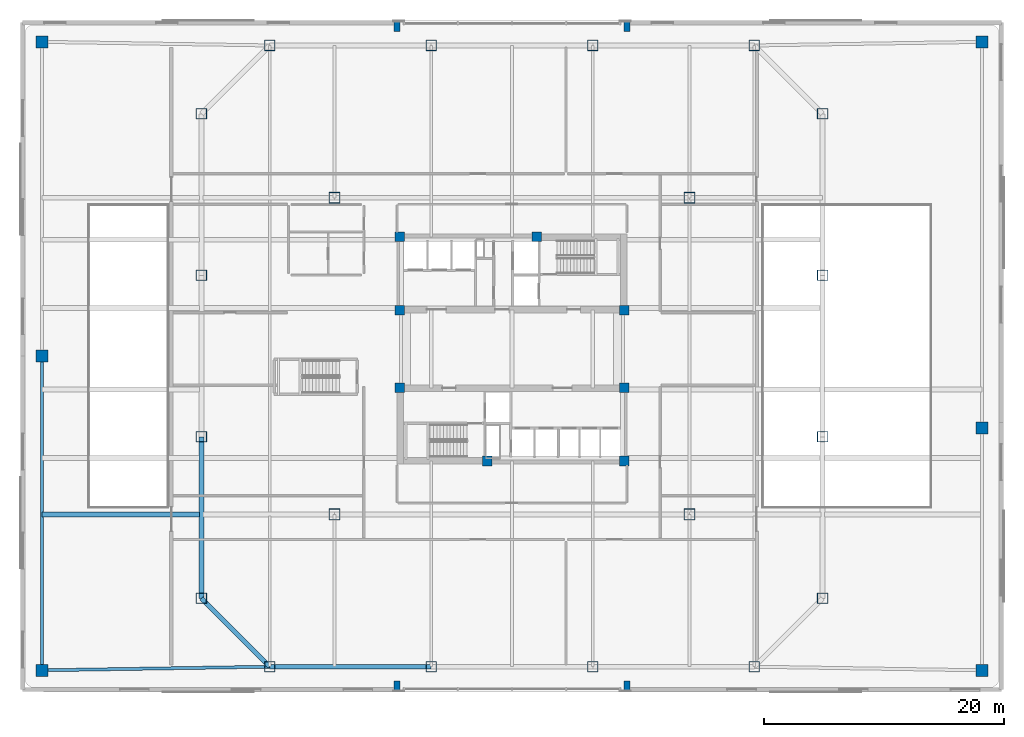
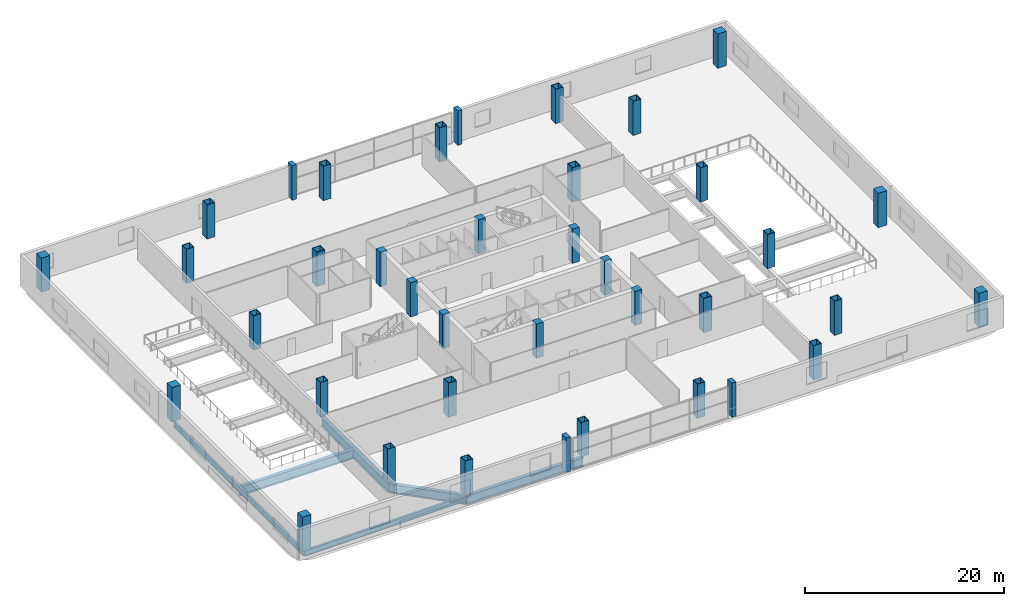
# One storey, part 1 of 21: 38 columns, 6 beams.
"""IFC4 building model written with IfcOpenShell, lengths in metres."""

from ifc_helpers import new_model, si_unit, direction, frame, origin, origin_2d, place, context, subcontext, project, spatial, rectangle, hollow_rectangle, i_section, extrude, material, material_profile, profile_set, type_object, element, save


model = new_model("IFC4")

# Units and contexts
model_context = context("Model", 3, precision=1e-05, world=origin(), true_north=direction((0.0, 1.0)))
body_context = subcontext(model_context, "Body", "Model", "MODEL_VIEW")
ifc_project = project(units=[si_unit("LENGTHUNIT", "METRE"), si_unit("AREAUNIT", "SQUARE_METRE"), si_unit("VOLUMEUNIT", "CUBIC_METRE"), si_unit("PLANEANGLEUNIT", "RADIAN"), si_unit("MASSUNIT", "GRAM", prefix="KILO")], contexts=[model_context])

# Site, building, storey
site_placement = place(None, origin())
site = spatial("IfcSite", under=ifc_project, at=site_placement, CompositionType="ELEMENT")
building_placement = place(site_placement, origin())
building = spatial("IfcBuilding", under=site, at=building_placement, Name="Qhalaya Broadcast Tower", CompositionType="ELEMENT")
storey_placement = place(building_placement, frame((0.0, 0.0, 17.699951171875)))
storey = spatial("IfcBuildingStorey", under=building, at=storey_placement, Name="L04", CompositionType="ELEMENT", Elevation=17.699951171875)

# Columns
ifc_material_1 = material(Name="Concrete C60/75", Category="concrete")
ifc_material_profile_1 = material_profile(ifc_material_1, rectangle(XDim=0.5, YDim=0.85009765625, at=origin_2d()), Name="RC-PIL 500x850")
ifc_profile_set_1 = profile_set([ifc_material_profile_1], Name="Concrete C60/75")
column_type_1 = type_object("IfcColumnType", Name="Concourse Portal Pilaster CP1", PredefinedType="PILASTER", material=ifc_profile_set_1)
for number, where, z_axis, x_axis, name in (
    (1, (-9.60009765625, -27.5, 0.0), (0.0, 0.0, 1.0), (1.0, 0.0, 0.0), "L04 Column PIL-PL1"),
    (2, (9.60009765625, -27.5, 0.0), (0.0, 0.0, 1.0), (1.0, 0.0, 0.0), "L04 Column PIL-PL2"),
    (3, (-9.60009765625, 27.5, 0.0), (0.0, 0.0, 1.0), (1.0, 0.0, 0.0), "L04 Column PIL-PL3"),
    (4, (9.60009765625, 27.5, 0.0), (0.0, 0.0, 1.0), (1.0, 0.0, 0.0), "L04 Column PIL-PL4"),
):
    element("IfcColumn", number, at=place(storey_placement, frame(where, z_axis=z_axis, x_axis=x_axis)), inside=storey, type_object=column_type_1, Name=name, PredefinedType="PILASTER", context=body_context, shape_type="SweptSolid", body=[
        extrude(rectangle(XDim=0.5, YDim=0.85009765625, at=origin_2d()), origin(), (0.0, 0.0, 1.0), 4.199951171875),
    ])
ifc_material_profile_2 = material_profile(ifc_material_1, rectangle(XDim=1.0, YDim=1.0, at=origin_2d()), Name="RC-COL 1000x1000")
ifc_profile_set_2 = profile_set([ifc_material_profile_2], Name="Concrete C60/75")
column_type_2 = type_object("IfcColumnType", Name="RC Podium Column C09", PredefinedType="COLUMN", material=ifc_profile_set_2)
for number, where, z_axis, x_axis, name in (
    (5, (-39.199951171875, 0.0, 0.0), (0.0, 0.0, 1.0), (1.0, 0.0, 0.0), "L04 Column COL-E1"),
    (6, (39.199951171875, -6.0, 0.0), (0.0, 0.0, 1.0), (1.0, 0.0, 0.0), "L04 Column COL-E2"),
    (7, (-39.199951171875, -26.199951171875, 0.0), (0.0, 0.0, 1.0), (1.0, 0.0, 0.0), "L04 Column COL-E3"),
    (8, (39.199951171875, -26.199951171875, 0.0), (0.0, 0.0, 1.0), (1.0, 0.0, 0.0), "L04 Column COL-E4"),
    (9, (-39.199951171875, 26.199951171875, 0.0), (0.0, 0.0, 1.0), (1.0, 0.0, 0.0), "L04 Column COL-E5"),
    (10, (39.199951171875, 26.199951171875, 0.0), (0.0, 0.0, 1.0), (1.0, 0.0, 0.0), "L04 Column COL-E6"),
):
    element("IfcColumn", number, at=place(storey_placement, frame(where, z_axis=z_axis, x_axis=x_axis)), inside=storey, type_object=column_type_2, Name=name, PredefinedType="COLUMN", context=body_context, shape_type="SweptSolid", body=[
        extrude(rectangle(XDim=1.0, YDim=1.0, at=origin_2d()), origin(), (0.0, 0.0, 1.0), 4.199951171875),
    ])
ifc_material_2 = material(Name="Concrete C50/60", Category="concrete")
ifc_material_profile_3 = material_profile(ifc_material_2, rectangle(XDim=0.800048828125, YDim=0.800048828125, at=origin_2d()), Name="RC-COL 800x800")
ifc_profile_set_3 = profile_set([ifc_material_profile_3], Name="Concrete C50/60")
column_type_3 = type_object("IfcColumnType", Name="RC Upper Column C10", PredefinedType="COLUMN", material=ifc_profile_set_3)
for number, where, z_axis, x_axis, name in (
    (11, (-9.375, 9.949951171875, 0.0), (0.0, 0.0, 1.0), (1.0, 0.0, 0.0), "L04 Column COL-CC1"),
    (12, (2.050048828125, 9.949951171875, 0.0), (0.0, 0.0, 1.0), (1.0, 0.0, 0.0), "L04 Column COL-CC2"),
    (13, (-9.375, 3.824951171875, 0.0), (0.0, 0.0, 1.0), (1.0, 0.0, 0.0), "L04 Column COL-CC3"),
    (14, (9.375, 3.824951171875, 0.0), (0.0, 0.0, 1.0), (1.0, 0.0, 0.0), "L04 Column COL-CC4"),
    (15, (-9.375, -2.625, 0.0), (0.0, 0.0, 1.0), (1.0, 0.0, 0.0), "L04 Column COL-CC5"),
    (16, (9.375, -2.625, 0.0), (0.0, 0.0, 1.0), (1.0, 0.0, 0.0), "L04 Column COL-CC6"),
    (17, (-2.050048828125, -8.75, 0.0), (0.0, 0.0, 1.0), (1.0, 0.0, 0.0), "L04 Column COL-CC7"),
    (18, (9.375, -8.75, 0.0), (0.0, 0.0, 1.0), (1.0, 0.0, 0.0), "L04 Column COL-CC8"),
):
    element("IfcColumn", number, at=place(storey_placement, frame(where, z_axis=z_axis, x_axis=x_axis)), inside=storey, type_object=column_type_3, Name=name, PredefinedType="COLUMN", context=body_context, shape_type="SweptSolid", body=[
        extrude(rectangle(XDim=0.800048828125, YDim=0.800048828125, at=origin_2d()), origin(), (0.0, 0.0, 1.0), 4.199951171875),
    ])
ifc_material_3 = material(Name="Structural Steel ASTM A572 Grade 50", Category="steel")
ifc_material_profile_4 = material_profile(ifc_material_3, hollow_rectangle(XDim=0.949951171875, YDim=0.949951171875, WallThickness=0.06005859375, at=origin_2d()), Name="BOX 950x950x60")
ifc_profile_set_4 = profile_set([ifc_material_profile_4], Name="Structural Steel ASTM A572 Grade 50")
column_type_4 = type_object("IfcColumnType", Name="Steel Box Column C01", PredefinedType="COLUMN", material=ifc_profile_set_4)
for number, where, z_axis, x_axis, name in (
    (19, (-14.800048828125, -13.199951171875, 0.0), (0.0, 0.0, 1.0), (1.0, 0.0, 0.0), "L04 Column COL-GR1"),
    (20, (14.800048828125, -13.199951171875, 0.0), (0.0, 0.0, 1.0), (1.0, 0.0, 0.0), "L04 Column COL-GR2"),
    (21, (-14.800048828125, 13.199951171875, 0.0), (0.0, 0.0, 1.0), (1.0, 0.0, 0.0), "L04 Column COL-GR3"),
    (22, (14.800048828125, 13.199951171875, 0.0), (0.0, 0.0, 1.0), (1.0, 0.0, 0.0), "L04 Column COL-GR4"),
):
    element("IfcColumn", number, at=place(storey_placement, frame(where, z_axis=z_axis, x_axis=x_axis)), inside=storey, type_object=column_type_4, Name=name, PredefinedType="COLUMN", context=body_context, shape_type="SweptSolid", body=[
        extrude(hollow_rectangle(XDim=0.949951171875, YDim=0.949951171875, WallThickness=0.06005859375, at=origin_2d()), origin(), (0.0, 0.0, 1.0), 4.199951171875),
    ])
ifc_material_profile_5 = material_profile(ifc_material_3, hollow_rectangle(XDim=0.89990234375, YDim=0.89990234375, WallThickness=0.054931640625, at=origin_2d()), Name="BOX 900x900x55")
ifc_profile_set_5 = profile_set([ifc_material_profile_5], Name="Structural Steel ASTM A572 Grade 50")
column_type_5 = type_object("IfcColumnType", Name="Steel Box Column C02", PredefinedType="COLUMN", material=ifc_profile_set_5)
for number, where, z_axis, x_axis, name in (
    (23, (-20.199951171875, -25.89990234375, 0.0), (0.0, 0.0, 1.0), (1.0, 0.0, 0.0), "L04 Column COL-B1P01"),
    (24, (-6.7333984375, -25.89990234375, 0.0), (0.0, 0.0, 1.0), (1.0, 0.0, 0.0), "L04 Column COL-B1P02"),
    (25, (6.7333984375, -25.89990234375, 0.0), (0.0, 0.0, 1.0), (1.0, 0.0, 0.0), "L04 Column COL-B1P03"),
    (26, (20.199951171875, -25.89990234375, 0.0), (0.0, 0.0, 1.0), (1.0, 0.0, 0.0), "L04 Column COL-B1P04"),
    (27, (25.89990234375, -20.199951171875, 0.0), (0.0, 0.0, 1.0), (0.0, 1.0, 0.0), "L04 Column COL-B1P05"),
    (28, (25.89990234375, -6.7333984375, 0.0), (0.0, 0.0, 1.0), (0.0, 1.0, 0.0), "L04 Column COL-B1P06"),
    (29, (25.89990234375, 6.7333984375, 0.0), (0.0, 0.0, 1.0), (0.0, 1.0, 0.0), "L04 Column COL-B1P07"),
    (30, (25.89990234375, 20.199951171875, 0.0), (0.0, 0.0, 1.0), (0.0, 1.0, 0.0), "L04 Column COL-B1P08"),
    (31, (20.199951171875, 25.89990234375, 0.0), (0.0, 0.0, 1.0), (1.0, 0.0, 0.0), "L04 Column COL-B1P09"),
    (32, (6.7333984375, 25.89990234375, 0.0), (0.0, 0.0, 1.0), (1.0, 0.0, 0.0), "L04 Column COL-B1P10"),
    (33, (-6.7333984375, 25.89990234375, 0.0), (0.0, 0.0, 1.0), (1.0, 0.0, 0.0), "L04 Column COL-B1P11"),
    (34, (-20.199951171875, 25.89990234375, 0.0), (0.0, 0.0, 1.0), (1.0, 0.0, 0.0), "L04 Column COL-B1P12"),
    (35, (-25.89990234375, 20.199951171875, 0.0), (0.0, 0.0, 1.0), (0.0, 1.0, 0.0), "L04 Column COL-B1P13"),
    (36, (-25.89990234375, 6.7333984375, 0.0), (0.0, 0.0, 1.0), (0.0, 1.0, 0.0), "L04 Column COL-B1P14"),
    (37, (-25.89990234375, -6.7333984375, 0.0), (0.0, 0.0, 1.0), (0.0, 1.0, 0.0), "L04 Column COL-B1P15"),
    (38, (-25.89990234375, -20.199951171875, 0.0), (0.0, 0.0, 1.0), (0.0, 1.0, 0.0), "L04 Column COL-B1P16"),
):
    element("IfcColumn", number, at=place(storey_placement, frame(where, z_axis=z_axis, x_axis=x_axis)), inside=storey, type_object=column_type_5, Name=name, PredefinedType="COLUMN", context=body_context, shape_type="SweptSolid", body=[
        extrude(hollow_rectangle(XDim=0.89990234375, YDim=0.89990234375, WallThickness=0.054931640625, at=origin_2d()), origin(), (0.0, 0.0, 1.0), 4.199951171875),
    ])

# Beams
ifc_material_4 = material(Name="Structural Steel ASTM A992 Grade 50", Category="steel")
ifc_material_profile_6 = material_profile(ifc_material_4, i_section(OverallWidth=0.25390625, OverallDepth=0.68310546875, WebThickness=0.012451171875, FlangeThickness=0.01904296875, at=origin_2d()), Name="W27X94")
ifc_profile_set_6 = profile_set([ifc_material_profile_6], Name="Structural Steel ASTM A992 Grade 50")
beam_type_1 = type_object("IfcBeamType", Name="Perimeter Ring Spandrel Beam SP1", PredefinedType="SPANDREL", material=ifc_profile_set_6)
beam_1_placement = place(storey_placement, frame((-39.199951171875, -26.199951171875, -0.661376953125), z_axis=(0.999875328998, 0.015790074776, 0.0), x_axis=(-0.015790074776, 0.999875328998, 0.0)))
element("IfcBeam", 39, at=beam_1_placement, inside=storey, type_object=beam_type_1, Name="L04 SP1 L04-SP-S1", PredefinedType="SPANDREL", context=body_context, shape_type="SweptSolid", body=[
    extrude(i_section(OverallWidth=0.25390625, OverallDepth=0.68310546875, WebThickness=0.012451171875, FlangeThickness=0.01904296875, at=origin_2d()), origin(), (0.0, 0.0, 1.0), 19.00244140625),
])
beam_2_placement = place(storey_placement, frame((-39.199951171875, -26.199951171875, -0.661376953125), z_axis=(0.0, 1.0, 0.0), x_axis=(-1.0, 0.0, 0.0)))
element("IfcBeam", 40, at=beam_2_placement, inside=storey, type_object=beam_type_1, Name="L04 SP1 L04-SP-W1", PredefinedType="SPANDREL", context=body_context, shape_type="SweptSolid", body=[
    extrude(i_section(OverallWidth=0.25390625, OverallDepth=0.68310546875, WebThickness=0.012451171875, FlangeThickness=0.01904296875, at=origin_2d()), origin(), (0.0, 0.0, 1.0), 26.199951171875),
])
ifc_material_profile_7 = material_profile(ifc_material_4, i_section(OverallWidth=0.404052734375, OverallDepth=1.117919921875, WebThickness=0.026123046875, FlangeThickness=0.044921875, at=origin_2d()), Name="W44X335")
ifc_profile_set_7 = profile_set([ifc_material_profile_7], Name="Structural Steel ASTM A992 Grade 50")
beam_type_2 = type_object("IfcBeamType", Name="Podium Long-Span Primary Girder PG1", PredefinedType="USERDEFINED", material=ifc_profile_set_7)
for number, where, z_axis, x_axis, name in (
    (41, (-20.199951171875, -25.89990234375, -0.87890625), (1.0, 0.0, 0.0), (0.0, 1.0, 0.0), "L04 PG1 L04-PG-R01"),
    (42, (-25.89990234375, -6.7333984375, -0.87890625), (0.0, -1.0, 0.0), (1.0, 0.0, 0.0), "L04 PG1 L04-PG-R15"),
):
    element("IfcBeam", number, at=place(storey_placement, frame(where, z_axis=z_axis, x_axis=x_axis)), inside=storey, type_object=beam_type_2, Name=name, ObjectType="GIRDER", PredefinedType="USERDEFINED", context=body_context, shape_type="SweptSolid", body=[
        extrude(i_section(OverallWidth=0.404052734375, OverallDepth=1.117919921875, WebThickness=0.026123046875, FlangeThickness=0.044921875, at=origin_2d()), origin(), (0.0, 0.0, 1.0), 13.466552734375),
    ])
beam_3_placement = place(storey_placement, frame((-25.89990234375, -20.199951171875, -0.87890625), z_axis=(0.707106781187, -0.707106781187, 0.0), x_axis=(0.707106781187, 0.707106781187, 0.0)))
element("IfcBeam", 43, at=beam_3_placement, inside=storey, type_object=beam_type_2, Name="L04 PG1 L04-PG-R16", ObjectType="GIRDER", PredefinedType="USERDEFINED", context=body_context, shape_type="SweptSolid", body=[
    extrude(i_section(OverallWidth=0.404052734375, OverallDepth=1.117919921875, WebThickness=0.026123046875, FlangeThickness=0.044921875, at=origin_2d()), origin(), (0.0, 0.0, 1.0), 8.06103515625),
])
beam_4_placement = place(storey_placement, frame((-39.199951171875, -13.199951171875, -0.87890625), z_axis=(1.0, 0.0, 0.0), x_axis=(0.0, 1.0, 0.0)))
element("IfcBeam", 44, at=beam_4_placement, inside=storey, type_object=beam_type_2, Name="L04 PG1 L04-PG-GS1", ObjectType="GIRDER", PredefinedType="USERDEFINED", context=body_context, shape_type="SweptSolid", body=[
    extrude(i_section(OverallWidth=0.404052734375, OverallDepth=1.117919921875, WebThickness=0.026123046875, FlangeThickness=0.044921875, at=origin_2d()), origin(), (0.0, 0.0, 1.0), 13.159912109375),
])

save(model, "model.ifc")
